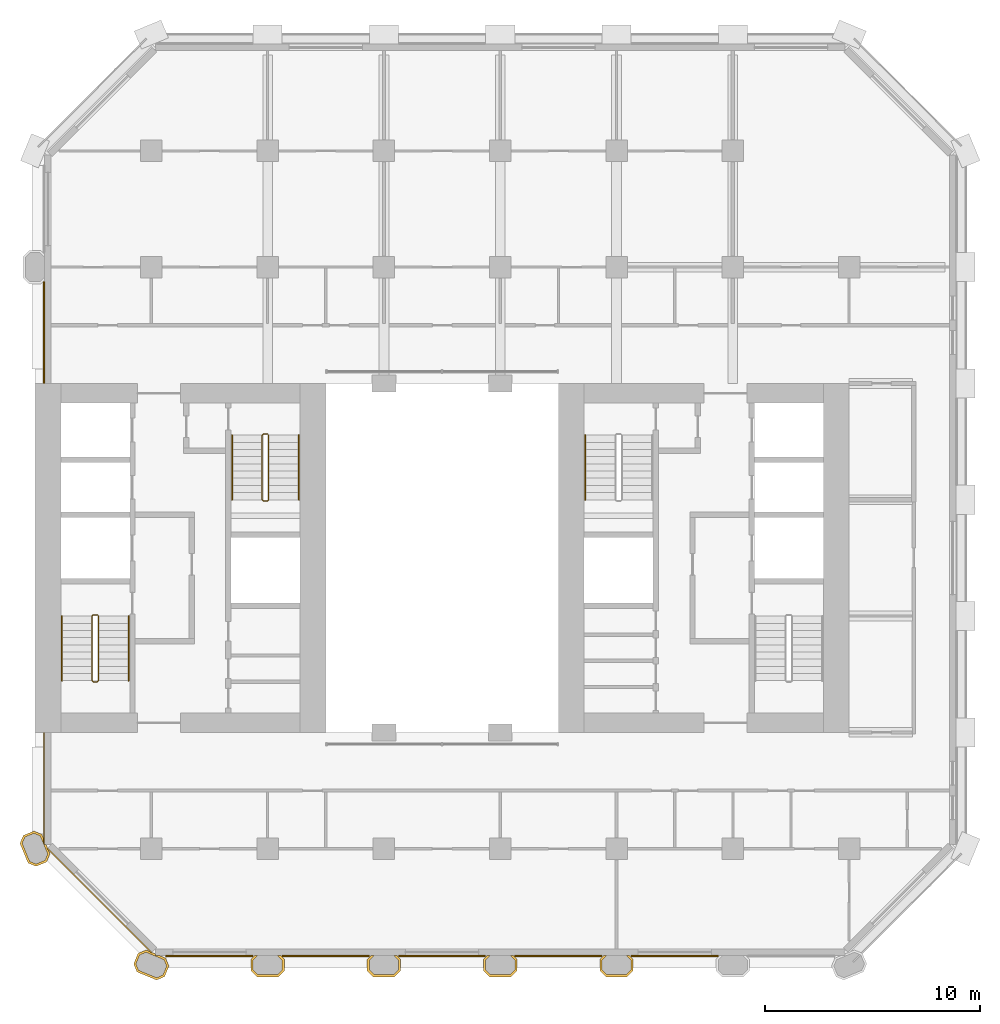
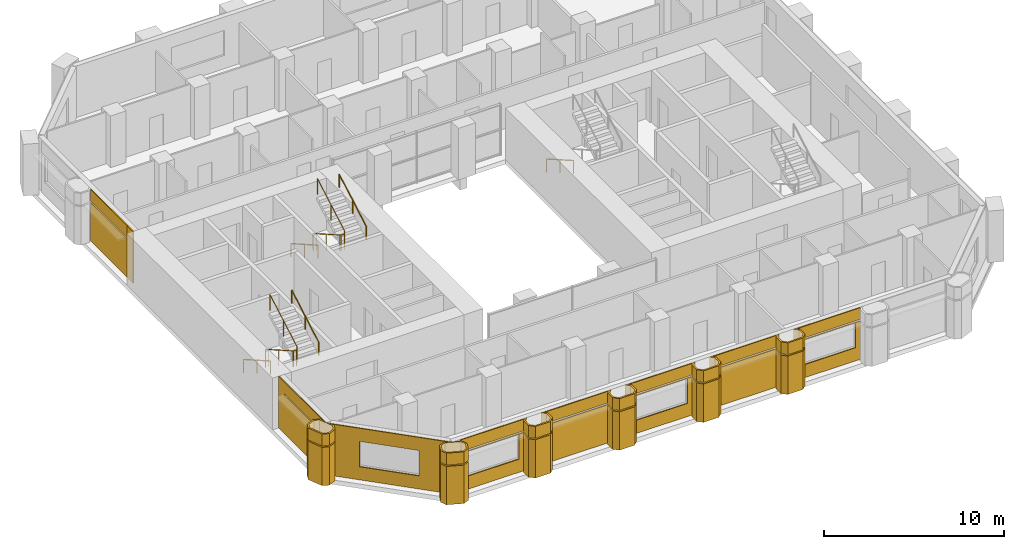
# One storey, part 9 of 11: 27 coverings, 7 railings.
"""IFC4 building model written with IfcOpenShell, lengths in metres."""

import ifcopenshell
import ifcopenshell.guid

model = None  # the IFC model being written
_history = None  # IfcOwnerHistory: only IFC2X3 demands one
_inside = {}  # id of a spatial element -> (the spatial element, [elements in it])
_under = {}  # id of a project, library or spatial element -> (it, [spatial elements below it])
_declared = {}  # id of a project -> (the project, [libraries it declares])
_typed = {}  # id of a type object -> (the type object, [elements of that type])
_made_of = {}  # id of a material, layer set ... -> (it, [elements and type objects made of it])


def new_model(schema):
    """Start an empty IFC model of exactly this schema.

    Asked for "IFC4X3", IfcOpenShell would pick the latest addendum, in which some entities
    have other attributes; the version numbers below select the first issue.
    IFC2X3 requires an IfcOwnerHistory on every rooted entity: one is made here for all.
    """
    global model, _history
    if schema == "IFC4X3":
        model = ifcopenshell.file(schema_version=(4, 3, 0, 0))
    else:
        model = ifcopenshell.file(schema=schema)
    _inside.clear()
    _under.clear()
    _declared.clear()
    _typed.clear()
    _made_of.clear()
    _history = None
    if model.schema == "IFC2X3":
        org = make("IfcOrganization", Name="unknown")
        user = make(
            "IfcPersonAndOrganization",
            ThePerson=make("IfcPerson", FamilyName="unknown"),
            TheOrganization=org,
        )
        app = make(
            "IfcApplication",
            ApplicationDeveloper=org,
            Version="unknown",
            ApplicationFullName="unknown",
            ApplicationIdentifier="unknown",
        )
        _history = make(
            "IfcOwnerHistory",
            OwningUser=user,
            OwningApplication=app,
            ChangeAction="ADDED",
            CreationDate=0,
        )
    return model


def make(cls, **values):
    """One entity of the class cls with the attributes given. An attribute that is None is left unset."""
    return model.create_entity(
        cls, **{name: value for name, value in values.items() if value is not None}
    )


def rooted(cls, **values):
    """An entity with a GlobalId (a new one), such as an element, a storey or a relation."""
    return make(cls, GlobalId=ifcopenshell.guid.new(), OwnerHistory=_history, **values)


def si_unit(unit_type, name, prefix=None):
    """IfcSIUnit, for example si_unit("LENGTHUNIT", "METRE", prefix="MILLI")."""
    return make("IfcSIUnit", UnitType=unit_type, Prefix=prefix, Name=name)


def assignment(units):
    """IfcUnitAssignment: the units of a project."""
    return None if units is None else make("IfcUnitAssignment", Units=units)


def point(xyz):
    """IfcCartesianPoint."""
    return None if xyz is None else make("IfcCartesianPoint", Coordinates=xyz)


def direction(xyz):
    """IfcDirection."""
    return None if xyz is None else make("IfcDirection", DirectionRatios=xyz)


def frame(location, z_axis=None, x_axis=None):
    """IfcAxis2Placement3D, a coordinate frame: its origin and axes. An axis left out is left unset."""
    return make(
        "IfcAxis2Placement3D",
        Location=point(location),
        Axis=direction(z_axis),
        RefDirection=direction(x_axis),
    )


def frame_2d(location, x_axis=None):
    """IfcAxis2Placement2D, a coordinate frame in the plane: its origin and x axis."""
    return make(
        "IfcAxis2Placement2D", Location=point(location), RefDirection=direction(x_axis)
    )


def origin():
    """The frame at (0, 0, 0) with its axes left unset."""
    return frame((0.0, 0.0, 0.0))


def origin_2d():
    """The frame at (0, 0) in the plane with its x axis left unset."""
    return frame_2d((0.0, 0.0))


def place(relative_to, where):
    """IfcLocalPlacement: puts the frame where relative to a parent placement (None: the world)."""
    return make(
        "IfcLocalPlacement", PlacementRelTo=relative_to, RelativePlacement=where
    )


def context(
    kind, dimensions, precision=None, world=None, true_north=None, identifier=None
):
    """IfcGeometricRepresentationContext, for example the 3D "Model" context."""
    return make(
        "IfcGeometricRepresentationContext",
        ContextIdentifier=identifier,
        ContextType=kind,
        CoordinateSpaceDimension=dimensions,
        Precision=precision,
        WorldCoordinateSystem=world,
        TrueNorth=true_north,
    )


def subcontext(parent, identifier, kind, view, scale=None):
    """IfcGeometricRepresentationSubContext, for example "Body" below "Model"."""
    return make(
        "IfcGeometricRepresentationSubContext",
        ContextIdentifier=identifier,
        ContextType=kind,
        ParentContext=parent,
        TargetScale=scale,
        TargetView=view,
    )


def project(units=None, contexts=None):
    """IfcProject with its units and contexts."""
    return rooted(
        "IfcProject",
        Name="project",
        RepresentationContexts=contexts,
        UnitsInContext=assignment(units),
    )


def spatial(cls, under=None, at=None, **own):
    """A site, building, storey or space (cls), placed at a placement, below another one or the project."""
    s = rooted(cls, ObjectPlacement=at, **own)
    if under is not None:
        _under.setdefault(under.id(), (under, []))[1].append(s)
    return s


def polyline(points):
    """IfcPolyline through the points."""
    return make("IfcPolyline", Points=[point(p) for p in points])


def profile(cls, at=None, kind="AREA", **sizes):
    """A parametric profile (cls). Its sizes go by their IFC names, for example OverallWidth=200.0."""
    return make(cls, ProfileType=kind, Position=at, **sizes)


def rectangle(**sizes):
    """IfcRectangleProfileDef."""
    return profile("IfcRectangleProfileDef", **sizes)


def circle(**sizes):
    """IfcCircleProfileDef."""
    return profile("IfcCircleProfileDef", **sizes)


def outline(outer, holes=None, kind="AREA"):
    """IfcArbitraryClosedProfileDef: a profile drawn as a closed curve; with holes, ...WithVoids."""
    if holes is None:
        return make("IfcArbitraryClosedProfileDef", ProfileType=kind, OuterCurve=outer)
    return make(
        "IfcArbitraryProfileDefWithVoids",
        ProfileType=kind,
        OuterCurve=outer,
        InnerCurves=holes,
    )


def extrude(swept, where, along, depth):
    """IfcExtrudedAreaSolid: the profile swept, set in the frame where, extruded along a direction by depth."""
    return make(
        "IfcExtrudedAreaSolid",
        SweptArea=swept,
        Position=where,
        ExtrudedDirection=direction(along),
        Depth=depth,
    )


def shape(context_of_items, identifier, shape_type, items):
    """IfcShapeRepresentation: the items that make up one representation, for example the "Body"."""
    return make(
        "IfcShapeRepresentation",
        ContextOfItems=context_of_items,
        RepresentationIdentifier=identifier,
        RepresentationType=shape_type,
        Items=items,
    )


def material(Name=None, Category=None):
    """IfcMaterial."""
    return make("IfcMaterial", Name=Name, Category=Category)


def layer(
    of_material, thickness, ventilated=None, Name=None, Category=None, Priority=None
):
    """IfcMaterialLayer: one layer of a wall or slab, of a material (None: an air gap)."""
    return make(
        "IfcMaterialLayer",
        Material=of_material,
        LayerThickness=thickness,
        IsVentilated=ventilated,
        Name=Name,
        Category=Category,
        Priority=Priority,
    )


def layer_set(layers, Name=None):
    """IfcMaterialLayerSet."""
    return make("IfcMaterialLayerSet", MaterialLayers=layers, LayerSetName=Name)


def made_of(thing, what):
    """Note that an element or type object is made of a material, layer set ...; save() writes the relation."""
    if what is not None:
        _made_of.setdefault(what.id(), (what, []))[1].append(thing)
    return thing


def type_object(cls, material=None, **own):
    """A type object (cls), such as IfcWallType, which elements share."""
    return made_of(rooted(cls, **own), material)


def element(
    cls,
    number,
    at=None,
    inside=None,
    cuts=None,
    type_object=None,
    material=None,
    context=None,
    identifier="Body",
    shape_type=None,
    held_by="IfcProductDefinitionShape",
    body=None,
    shapes=None,
    **own,
):
    """One element of the class cls, such as IfcWall. Its Tag is "e" and its number.

    at: its placement. inside: the storey or other place that contains it. cuts: it is an
    opening in that element (IfcRelVoidsElement). A single representation is given by context,
    identifier, shape_type and body (its items); several are given by shapes. held_by: the class
    of the entity that holds the representations. save() writes the other relations.
    """
    e = rooted(cls, Tag="e%d" % number, ObjectPlacement=at, **own)
    if body is not None:
        shapes = [shape(context, identifier, shape_type, body)]
    if shapes is not None:
        e.Representation = make(held_by, Representations=shapes)
    if inside is not None:
        _inside.setdefault(inside.id(), (inside, []))[1].append(e)
    if cuts is not None:
        rooted(
            "IfcRelVoidsElement", RelatingBuildingElement=cuts, RelatedOpeningElement=e
        )
    if type_object is not None:
        _typed.setdefault(type_object.id(), (type_object, []))[1].append(e)
    return made_of(e, material)


def aggregate(whole, parts):
    """IfcRelAggregates: a whole, such as a stair, and the parts it consists of."""
    return rooted("IfcRelAggregates", RelatingObject=whole, RelatedObjects=parts)


def save(model, path):
    """Write the relations noted so far, then the file.

    IfcRelAggregates (storeys below a building ...), IfcRelContainedInSpatialStructure (elements
    in a storey), IfcRelDefinesByType, IfcRelAssociatesMaterial and IfcRelDeclares: one each for
    every whole, place, type object, material and project.
    """
    for whole, parts in _under.values():
        aggregate(whole, parts)
    for where, things in _inside.values():
        rooted(
            "IfcRelContainedInSpatialStructure",
            RelatedElements=things,
            RelatingStructure=where,
        )
    for kind, things in _typed.values():
        rooted("IfcRelDefinesByType", RelatedObjects=things, RelatingType=kind)
    for what, things in _made_of.values():
        rooted("IfcRelAssociatesMaterial", RelatedObjects=things, RelatingMaterial=what)
    for by, libraries in _declared.values():
        rooted("IfcRelDeclares", RelatingContext=by, RelatedDefinitions=libraries)
    model.write(path)


model = new_model("IFC4")

# Units and contexts
model_context = context("Model", 3, precision=1e-05, world=origin(), true_north=direction((0.0, 1.0)))
body_context = subcontext(model_context, "Body", "Model", "MODEL_VIEW")
ifc_project = project(units=[si_unit("LENGTHUNIT", "METRE"), si_unit("AREAUNIT", "SQUARE_METRE"), si_unit("VOLUMEUNIT", "CUBIC_METRE"), si_unit("PLANEANGLEUNIT", "RADIAN"), si_unit("MASSUNIT", "GRAM", prefix="KILO")], contexts=[model_context])

# Site, building, storey
site_placement = place(None, origin())
site = spatial("IfcSite", under=ifc_project, at=site_placement, CompositionType="ELEMENT")
building_placement = place(site_placement, origin())
building = spatial("IfcBuilding", under=site, at=building_placement, Name="Tabaq Tower and Sports Hall", CompositionType="ELEMENT")
storey_placement = place(building_placement, frame((0.0, 0.0, 80.199951171875)))
storey = spatial("IfcBuildingStorey", under=building, at=storey_placement, Name="L18", CompositionType="ELEMENT", Elevation=80.199951171875)

# Coverings
ifc_material_1 = material(Name="Precast concrete C60/75", Category="concrete")
ifc_layer_1 = layer(ifc_material_1, 0.10009765625)
ifc_layer_set_1 = layer_set([ifc_layer_1], Name="Column cladding 100")
covering_type_1 = type_object("IfcCoveringType", Name="Column cladding 100", PredefinedType="CLADDING", material=ifc_layer_set_1)
covering_1_placement = place(storey_placement, origin())
element("IfcCovering", 1, at=covering_1_placement, inside=storey, type_object=covering_type_1, Name="Column cladding L18 PC-2C-O2", PredefinedType="CLADDING", context=body_context, shape_type="SweptSolid", body=[
    extrude(outline(polyline([(5.450439453125, 9.982421875), (5.080078125, 10.1357421875), (4.7041015625, 11.04345703125), (4.857421875, 11.413818359375), (5.349609375, 11.61767578125), (5.7197265625, 11.46435546875), (5.789794921875, 11.295654296875), (5.789794921875, 11.04296875), (5.849609375, 11.04296875), (5.849609375, 10.986083984375), (5.91796875, 10.986083984375), (5.9814453125, 10.83251953125), (5.9501953125, 10.801025390625), (6.026123046875, 10.72509765625), (6.095947265625, 10.556396484375), (5.9423828125, 10.186279296875), (5.450439453125, 9.982421875)]), holes=[polyline([(5.349609375, 11.510009765625), (4.93359375, 11.337646484375), (4.811767578125, 11.04345703125), (5.15625, 10.2119140625), (5.450439453125, 10.08984375), (5.866455078125, 10.26220703125), (5.98828125, 10.556396484375), (5.643798828125, 11.38818359375), (5.349609375, 11.510009765625)])]), origin(), (0.0, 0.0, 1.0), 2.60009765625),
])
covering_2_placement = place(storey_placement, frame((0.0, 0.0, 2.699951171875)))
element("IfcCovering", 2, at=covering_2_placement, inside=storey, type_object=covering_type_1, Name="Column cladding L18 PC-2C-O2 2", PredefinedType="CLADDING", context=body_context, shape_type="SweptSolid", body=[
    extrude(outline(polyline([(5.450439453125, 9.982421875), (5.080078125, 10.1357421875), (4.7041015625, 11.04345703125), (4.857421875, 11.413818359375), (5.349609375, 11.61767578125), (5.7197265625, 11.46435546875), (5.789794921875, 11.295654296875), (5.789794921875, 11.04296875), (5.849609375, 11.04296875), (5.849609375, 10.986083984375), (5.91796875, 10.986083984375), (5.9814453125, 10.83251953125), (5.9501953125, 10.801025390625), (6.026123046875, 10.72509765625), (6.095947265625, 10.556396484375), (5.9423828125, 10.186279296875), (5.450439453125, 9.982421875)]), holes=[polyline([(5.349609375, 11.510009765625), (4.93359375, 11.337646484375), (4.811767578125, 11.04345703125), (5.15625, 10.2119140625), (5.450439453125, 10.08984375), (5.866455078125, 10.26220703125), (5.98828125, 10.556396484375), (5.643798828125, 11.38818359375), (5.349609375, 11.510009765625)])]), origin(), (0.0, 0.0, 1.0), 0.800048828125),
])
covering_3_placement = place(storey_placement, origin())
element("IfcCovering", 3, at=covering_3_placement, inside=storey, type_object=covering_type_1, Name="Column cladding L18 PC-3B-O2", PredefinedType="CLADDING", context=body_context, shape_type="SweptSolid", body=[
    extrude(outline(polyline([(11.413818359375, 4.857421875), (11.04345703125, 4.7041015625), (10.1357421875, 5.080078125), (9.982421875, 5.450439453125), (10.186279296875, 5.9423828125), (10.556396484375, 6.095947265625), (10.72509765625, 6.026123046875), (10.801025390625, 5.9501953125), (10.83251953125, 5.9814453125), (10.986083984375, 5.91796875), (10.986083984375, 5.849609375), (11.15087890625, 5.849609375), (11.46435546875, 5.7197265625), (11.61767578125, 5.349609375), (11.413818359375, 4.857421875)]), holes=[polyline([(10.26220703125, 5.866455078125), (10.08984375, 5.450439453125), (10.2119140625, 5.15625), (11.04345703125, 4.811767578125), (11.337646484375, 4.93359375), (11.510009765625, 5.349609375), (11.38818359375, 5.643798828125), (10.556396484375, 5.98828125), (10.26220703125, 5.866455078125)])]), origin(), (0.0, 0.0, 1.0), 2.60009765625),
])
covering_4_placement = place(storey_placement, frame((0.0, 0.0, 2.699951171875)))
element("IfcCovering", 4, at=covering_4_placement, inside=storey, type_object=covering_type_1, Name="Column cladding L18 PC-3B-O2 2", PredefinedType="CLADDING", context=body_context, shape_type="SweptSolid", body=[
    extrude(outline(polyline([(11.413818359375, 4.857421875), (11.04345703125, 4.7041015625), (10.1357421875, 5.080078125), (9.982421875, 5.450439453125), (10.186279296875, 5.9423828125), (10.556396484375, 6.095947265625), (10.72509765625, 6.026123046875), (10.801025390625, 5.9501953125), (10.83251953125, 5.9814453125), (10.986083984375, 5.91796875), (10.986083984375, 5.849609375), (11.15087890625, 5.849609375), (11.46435546875, 5.7197265625), (11.61767578125, 5.349609375), (11.413818359375, 4.857421875)]), holes=[polyline([(10.26220703125, 5.866455078125), (10.08984375, 5.450439453125), (10.2119140625, 5.15625), (11.04345703125, 4.811767578125), (11.337646484375, 4.93359375), (11.510009765625, 5.349609375), (11.38818359375, 5.643798828125), (10.556396484375, 5.98828125), (10.26220703125, 5.866455078125)])]), origin(), (0.0, 0.0, 1.0), 0.800048828125),
])
covering_5_placement = place(storey_placement, origin())
element("IfcCovering", 5, at=covering_5_placement, inside=storey, type_object=covering_type_1, Name="Column cladding L18 PC-4B-O2", PredefinedType="CLADDING", context=body_context, shape_type="SweptSolid", body=[
    extrude(outline(polyline([(15.42529296875, 5.666259765625), (15.608642578125, 5.849609375), (15.749267578125, 5.849609375), (15.524658203125, 5.625244140625), (15.524658203125, 5.1748046875), (15.749755859375, 4.94970703125), (16.650146484375, 4.94970703125), (16.875244140625, 5.1748046875), (16.875244140625, 5.625244140625), (16.650634765625, 5.849609375), (16.791259765625, 5.849609375), (16.974609375, 5.666259765625), (16.974609375, 5.1337890625), (16.69140625, 4.850341796875), (15.708740234375, 4.850341796875), (15.42529296875, 5.1337890625), (15.42529296875, 5.666259765625)])), origin(), (0.0, 0.0, 1.0), 2.60009765625),
])
covering_6_placement = place(storey_placement, frame((0.0, 0.0, 2.699951171875)))
element("IfcCovering", 6, at=covering_6_placement, inside=storey, type_object=covering_type_1, Name="Column cladding L18 PC-4B-O2 2", PredefinedType="CLADDING", context=body_context, shape_type="SweptSolid", body=[
    extrude(outline(polyline([(15.42529296875, 5.666259765625), (15.608642578125, 5.849609375), (15.749267578125, 5.849609375), (15.524658203125, 5.625244140625), (15.524658203125, 5.1748046875), (15.749755859375, 4.94970703125), (16.650146484375, 4.94970703125), (16.875244140625, 5.1748046875), (16.875244140625, 5.625244140625), (16.650634765625, 5.849609375), (16.791259765625, 5.849609375), (16.974609375, 5.666259765625), (16.974609375, 5.1337890625), (16.69140625, 4.850341796875), (15.708740234375, 4.850341796875), (15.42529296875, 5.1337890625), (15.42529296875, 5.666259765625)])), origin(), (0.0, 0.0, 1.0), 0.800048828125),
])
covering_7_placement = place(storey_placement, origin())
element("IfcCovering", 7, at=covering_7_placement, inside=storey, type_object=covering_type_1, Name="Column cladding L18 PC-5B-O2", PredefinedType="CLADDING", context=body_context, shape_type="SweptSolid", body=[
    extrude(outline(polyline([(20.8251953125, 5.666259765625), (21.0087890625, 5.849609375), (21.149169921875, 5.849609375), (20.9248046875, 5.625244140625), (20.9248046875, 5.1748046875), (21.14990234375, 4.94970703125), (22.050048828125, 4.94970703125), (22.275390625, 5.1748046875), (22.275390625, 5.625244140625), (22.05078125, 5.849609375), (22.19140625, 5.849609375), (22.374755859375, 5.666259765625), (22.374755859375, 5.1337890625), (22.09130859375, 4.850341796875), (21.108642578125, 4.850341796875), (20.8251953125, 5.1337890625), (20.8251953125, 5.666259765625)])), origin(), (0.0, 0.0, 1.0), 2.60009765625),
])
covering_8_placement = place(storey_placement, frame((0.0, 0.0, 2.699951171875)))
element("IfcCovering", 8, at=covering_8_placement, inside=storey, type_object=covering_type_1, Name="Column cladding L18 PC-5B-O2 2", PredefinedType="CLADDING", context=body_context, shape_type="SweptSolid", body=[
    extrude(outline(polyline([(20.8251953125, 5.666259765625), (21.0087890625, 5.849609375), (21.149169921875, 5.849609375), (20.9248046875, 5.625244140625), (20.9248046875, 5.1748046875), (21.14990234375, 4.94970703125), (22.050048828125, 4.94970703125), (22.275390625, 5.1748046875), (22.275390625, 5.625244140625), (22.05078125, 5.849609375), (22.19140625, 5.849609375), (22.374755859375, 5.666259765625), (22.374755859375, 5.1337890625), (22.09130859375, 4.850341796875), (21.108642578125, 4.850341796875), (20.8251953125, 5.1337890625), (20.8251953125, 5.666259765625)])), origin(), (0.0, 0.0, 1.0), 0.800048828125),
])
covering_9_placement = place(storey_placement, origin())
element("IfcCovering", 9, at=covering_9_placement, inside=storey, type_object=covering_type_1, Name="Column cladding L18 PC-6B-O2", PredefinedType="CLADDING", context=body_context, shape_type="SweptSolid", body=[
    extrude(outline(polyline([(26.225341796875, 5.666259765625), (26.40869140625, 5.849609375), (26.54931640625, 5.849609375), (26.32470703125, 5.625244140625), (26.32470703125, 5.1748046875), (26.5498046875, 4.94970703125), (27.4501953125, 4.94970703125), (27.67529296875, 5.1748046875), (27.67529296875, 5.625244140625), (27.45068359375, 5.849609375), (27.59130859375, 5.849609375), (27.774658203125, 5.666259765625), (27.774658203125, 5.1337890625), (27.4912109375, 4.850341796875), (26.5087890625, 4.850341796875), (26.225341796875, 5.1337890625), (26.225341796875, 5.666259765625)])), origin(), (0.0, 0.0, 1.0), 2.60009765625),
])
covering_10_placement = place(storey_placement, frame((0.0, 0.0, 2.699951171875)))
element("IfcCovering", 10, at=covering_10_placement, inside=storey, type_object=covering_type_1, Name="Column cladding L18 PC-6B-O2 2", PredefinedType="CLADDING", context=body_context, shape_type="SweptSolid", body=[
    extrude(outline(polyline([(26.225341796875, 5.666259765625), (26.40869140625, 5.849609375), (26.54931640625, 5.849609375), (26.32470703125, 5.625244140625), (26.32470703125, 5.1748046875), (26.5498046875, 4.94970703125), (27.4501953125, 4.94970703125), (27.67529296875, 5.1748046875), (27.67529296875, 5.625244140625), (27.45068359375, 5.849609375), (27.59130859375, 5.849609375), (27.774658203125, 5.666259765625), (27.774658203125, 5.1337890625), (27.4912109375, 4.850341796875), (26.5087890625, 4.850341796875), (26.225341796875, 5.1337890625), (26.225341796875, 5.666259765625)])), origin(), (0.0, 0.0, 1.0), 0.800048828125),
])
covering_11_placement = place(storey_placement, origin())
element("IfcCovering", 11, at=covering_11_placement, inside=storey, type_object=covering_type_1, Name="Column cladding L18 PC-7B-O2", PredefinedType="CLADDING", context=body_context, shape_type="SweptSolid", body=[
    extrude(outline(polyline([(31.625244140625, 5.666259765625), (31.80859375, 5.849609375), (31.94921875, 5.849609375), (31.724609375, 5.625244140625), (31.724609375, 5.1748046875), (31.949951171875, 4.94970703125), (32.85009765625, 4.94970703125), (33.0751953125, 5.1748046875), (33.0751953125, 5.625244140625), (32.850830078125, 5.849609375), (32.9912109375, 5.849609375), (33.1748046875, 5.666259765625), (33.1748046875, 5.1337890625), (32.891357421875, 4.850341796875), (31.90869140625, 4.850341796875), (31.625244140625, 5.1337890625), (31.625244140625, 5.666259765625)])), origin(), (0.0, 0.0, 1.0), 2.60009765625),
])
covering_12_placement = place(storey_placement, frame((0.0, 0.0, 2.699951171875)))
element("IfcCovering", 12, at=covering_12_placement, inside=storey, type_object=covering_type_1, Name="Column cladding L18 PC-7B-O2 2", PredefinedType="CLADDING", context=body_context, shape_type="SweptSolid", body=[
    extrude(outline(polyline([(31.625244140625, 5.666259765625), (31.80859375, 5.849609375), (31.94921875, 5.849609375), (31.724609375, 5.625244140625), (31.724609375, 5.1748046875), (31.949951171875, 4.94970703125), (32.85009765625, 4.94970703125), (33.0751953125, 5.1748046875), (33.0751953125, 5.625244140625), (32.850830078125, 5.849609375), (32.9912109375, 5.849609375), (33.1748046875, 5.666259765625), (33.1748046875, 5.1337890625), (32.891357421875, 4.850341796875), (31.90869140625, 4.850341796875), (31.625244140625, 5.1337890625), (31.625244140625, 5.666259765625)])), origin(), (0.0, 0.0, 1.0), 0.800048828125),
])

# Railings
ifc_material_2 = material(Name="Stainless steel", Category="steel")
railing_type_1 = type_object("IfcRailingType", Name="Stair guard", PredefinedType="GUARDRAIL", material=ifc_material_2)
railing_1_placement = place(storey_placement, frame((8.300048828125, 21.64990234375, 0.0)))
element("IfcRailing", 13, at=railing_1_placement, inside=storey, type_object=railing_type_1, Name="L18 ST1 stair guard 1", PredefinedType="GUARDRAIL", context=body_context, shape_type="SweptSolid", body=[
    extrude(circle(Radius=0.02392578125, at=origin_2d()), frame((0.0, 0.0, 1.076171875), z_axis=(-1.0, 0.0, 0.0), x_axis=(0.0, -1.0, 0.0)), (0.0, 0.0, 1.0), 0.199951171875),
    extrude(circle(Radius=0.02392578125, at=origin_2d()), frame((-0.199951171875, 0.0, 1.076171875), z_axis=(-0.246983470365, -0.245778672949, 0.937332389972), x_axis=(0.705375805398, -0.708833529934, 0.0)), (0.0, 0.0, 1.0), 0.20263671875),
    extrude(circle(Radius=0.02392578125, at=origin_2d()), frame((-0.25, -0.0498046875, 1.26611328125), z_axis=(0.0, -0.868751719353, 0.495247867356), x_axis=(1.0, 0.0, 0.0)), (0.0, 0.0, 1.0), 3.453125),
    extrude(circle(Radius=0.02392578125, at=origin_2d()), frame((-0.25, -3.0498046875, 2.97607421875), z_axis=(0.707106781187, -0.707106781187, 0.0), x_axis=(0.707106781187, 0.707106781187, 0.0)), (0.0, 0.0, 1.0), 0.07080078125),
    extrude(circle(Radius=0.02392578125, at=origin_2d()), frame((-0.199951171875, -3.099853515625, 2.97607421875), z_axis=(1.0, 0.0, 0.0), x_axis=(0.0, 1.0, 0.0)), (0.0, 0.0, 1.0), 0.199951171875),
    extrude(circle(Radius=0.02392578125, at=origin_2d()), frame((0.0, -3.099853515625, 2.97607421875), z_axis=(0.246910188598, 0.246910188598, 0.937054276727), x_axis=(-0.707106781187, 0.707106781187, 0.0)), (0.0, 0.0, 1.0), 0.20263671875),
    extrude(circle(Radius=0.02392578125, at=origin_2d()), frame((0.050048828125, -3.0498046875, 3.166015625), z_axis=(0.0, 0.868782136927, 0.495194505781), x_axis=(-1.0, 0.0, 0.0)), (0.0, 0.0, 1.0), 3.453125),
    extrude(circle(Radius=0.02099609375, at=origin_2d()), origin(), (0.0, 0.0, 1.0), 1.052001953125),
    extrude(circle(Radius=0.02099609375, at=origin_2d()), frame((-0.199951171875, 0.0, 0.0)), (0.0, 0.0, 1.0), 1.052001953125),
    extrude(circle(Radius=0.02099609375, at=origin_2d()), frame((-0.25, -0.0498046875, 0.18994140625)), (0.0, 0.0, 1.0), 1.052001953125),
    extrude(circle(Radius=0.02099609375, at=origin_2d()), frame((-0.25, -1.5498046875, 1.044921875)), (0.0, 0.0, 1.0), 1.052001953125),
    extrude(circle(Radius=0.02099609375, at=origin_2d()), frame((-0.25, -3.0498046875, 1.900146484375)), (0.0, 0.0, 1.0), 1.052001953125),
    extrude(circle(Radius=0.02099609375, at=origin_2d()), frame((-0.199951171875, -3.099853515625, 1.900146484375)), (0.0, 0.0, 1.0), 1.052001953125),
    extrude(circle(Radius=0.02099609375, at=origin_2d()), frame((0.0, -3.099853515625, 1.900146484375)), (0.0, 0.0, 1.0), 1.052001953125),
    extrude(circle(Radius=0.02099609375, at=origin_2d()), frame((0.050048828125, -3.0498046875, 2.090087890625)), (0.0, 0.0, 1.0), 1.052001953125),
    extrude(circle(Radius=0.02099609375, at=origin_2d()), frame((0.050048828125, -1.5498046875, 2.945068359375)), (0.0, 0.0, 1.0), 1.052001953125),
    extrude(circle(Radius=0.02099609375, at=origin_2d()), frame((0.050048828125, -0.0498046875, 3.800048828125)), (0.0, 0.0, 1.0), 1.052001953125),
])
railing_2_placement = place(storey_placement, frame((16.199951171875, 30.050048828125, 0.0)))
element("IfcRailing", 14, at=railing_2_placement, inside=storey, type_object=railing_type_1, Name="L18 ST2 stair guard 1", PredefinedType="GUARDRAIL", context=body_context, shape_type="SweptSolid", body=[
    extrude(circle(Radius=0.02392578125, at=origin_2d()), frame((0.0, 0.0, 1.076171875), z_axis=(-1.0, 0.0, 0.0), x_axis=(0.0, -1.0, 0.0)), (0.0, 0.0, 1.0), 0.199951171875),
    extrude(circle(Radius=0.02392578125, at=origin_2d()), frame((-0.199951171875, 0.0, 1.076171875), z_axis=(-0.246910188598, -0.246910188598, 0.937054276727), x_axis=(0.707106781187, -0.707106781187, 0.0)), (0.0, 0.0, 1.0), 0.20263671875),
    extrude(circle(Radius=0.02392578125, at=origin_2d()), frame((-0.25, -0.050048828125, 1.26611328125), z_axis=(0.0, -0.868751719353, 0.495247867356), x_axis=(1.0, 0.0, 0.0)), (0.0, 0.0, 1.0), 3.453125),
    extrude(circle(Radius=0.02392578125, at=origin_2d()), frame((-0.25, -3.050048828125, 2.97607421875), z_axis=(0.707106781187, -0.707106781187, 0.0), x_axis=(0.707106781187, 0.707106781187, 0.0)), (0.0, 0.0, 1.0), 0.07080078125),
    extrude(circle(Radius=0.02392578125, at=origin_2d()), frame((-0.199951171875, -3.10009765625, 2.97607421875), z_axis=(1.0, 0.0, 0.0), x_axis=(0.0, 1.0, 0.0)), (0.0, 0.0, 1.0), 0.199951171875),
    extrude(circle(Radius=0.02392578125, at=origin_2d()), frame((0.0, -3.10009765625, 2.97607421875), z_axis=(0.246910188598, 0.246910188598, 0.937054276727), x_axis=(-0.707106781187, 0.707106781187, 0.0)), (0.0, 0.0, 1.0), 0.20263671875),
    extrude(circle(Radius=0.02392578125, at=origin_2d()), frame((0.050048828125, -3.050048828125, 3.166015625), z_axis=(0.0, 0.868782136927, 0.495194505781), x_axis=(-1.0, 0.0, 0.0)), (0.0, 0.0, 1.0), 3.453125),
    extrude(circle(Radius=0.02099609375, at=origin_2d()), origin(), (0.0, 0.0, 1.0), 1.052001953125),
    extrude(circle(Radius=0.02099609375, at=origin_2d()), frame((-0.199951171875, 0.0, 0.0)), (0.0, 0.0, 1.0), 1.052001953125),
    extrude(circle(Radius=0.02099609375, at=origin_2d()), frame((-0.25, -0.050048828125, 0.18994140625)), (0.0, 0.0, 1.0), 1.052001953125),
    extrude(circle(Radius=0.02099609375, at=origin_2d()), frame((-0.25, -1.550048828125, 1.044921875)), (0.0, 0.0, 1.0), 1.052001953125),
    extrude(circle(Radius=0.02099609375, at=origin_2d()), frame((-0.25, -3.050048828125, 1.900146484375)), (0.0, 0.0, 1.0), 1.052001953125),
    extrude(circle(Radius=0.02099609375, at=origin_2d()), frame((-0.199951171875, -3.10009765625, 1.900146484375)), (0.0, 0.0, 1.0), 1.052001953125),
    extrude(circle(Radius=0.02099609375, at=origin_2d()), frame((0.0, -3.10009765625, 1.900146484375)), (0.0, 0.0, 1.0), 1.052001953125),
    extrude(circle(Radius=0.02099609375, at=origin_2d()), frame((0.050048828125, -3.050048828125, 2.090087890625)), (0.0, 0.0, 1.0), 1.052001953125),
    extrude(circle(Radius=0.02099609375, at=origin_2d()), frame((0.050048828125, -1.550048828125, 2.945068359375)), (0.0, 0.0, 1.0), 1.052001953125),
    extrude(circle(Radius=0.02099609375, at=origin_2d()), frame((0.050048828125, -0.050048828125, 3.800048828125)), (0.0, 0.0, 1.0), 1.052001953125),
])
ifc_material_3 = material(Name="Stainless steel", Category="steel")
railing_type_2 = type_object("IfcRailingType", Name="Stair handrail", PredefinedType="HANDRAIL", material=ifc_material_3)
railing_3_placement = place(storey_placement, frame((6.64990234375, 21.60009765625, 0.18994140625)))
element("IfcRailing", 15, at=railing_3_placement, inside=storey, type_object=railing_type_2, Name="L18 ST1 stair handrail 1", PredefinedType="HANDRAIL", context=body_context, shape_type="SweptSolid", body=[
    extrude(circle(Radius=0.02392578125, at=origin_2d()), frame((0.0, 0.0, 0.8759765625), z_axis=(0.0, -0.868751719353, 0.495247867356), x_axis=(1.0, 0.0, 0.0)), (0.0, 0.0, 1.0), 3.453125),
    extrude(circle(Radius=0.02099609375, at=origin_2d()), origin(), (0.0, 0.0, 1.0), 0.851806640625),
    extrude(circle(Radius=0.02099609375, at=origin_2d()), frame((0.0, -1.5, 0.85498046875)), (0.0, 0.0, 1.0), 0.851806640625),
    extrude(circle(Radius=0.02099609375, at=origin_2d()), frame((0.0, -3.0, 1.710205078125)), (0.0, 0.0, 1.0), 0.851806640625),
])
railing_4_placement = place(storey_placement, frame((9.75, 18.60009765625, 2.090087890625)))
element("IfcRailing", 16, at=railing_4_placement, inside=storey, type_object=railing_type_2, Name="L18 ST1 stair handrail 2", PredefinedType="HANDRAIL", context=body_context, shape_type="SweptSolid", body=[
    extrude(circle(Radius=0.02392578125, at=origin_2d()), frame((0.0, 0.0, 0.8759765625), z_axis=(0.0, 0.868782136927, 0.495194505781), x_axis=(-1.0, 0.0, 0.0)), (0.0, 0.0, 1.0), 3.453125),
    extrude(circle(Radius=0.02099609375, at=origin_2d()), origin(), (0.0, 0.0, 1.0), 0.851806640625),
    extrude(circle(Radius=0.02099609375, at=origin_2d()), frame((0.0, 1.5, 0.85498046875)), (0.0, 0.0, 1.0), 0.851806640625),
    extrude(circle(Radius=0.02099609375, at=origin_2d()), frame((0.0, 3.0, 1.7099609375)), (0.0, 0.0, 1.0), 0.851806640625),
])
railing_5_placement = place(storey_placement, frame((14.550048828125, 30.0, 0.18994140625)))
element("IfcRailing", 17, at=railing_5_placement, inside=storey, type_object=railing_type_2, Name="L18 ST2 stair handrail 1", PredefinedType="HANDRAIL", context=body_context, shape_type="SweptSolid", body=[
    extrude(circle(Radius=0.02392578125, at=origin_2d()), frame((0.0, 0.0, 0.8759765625), z_axis=(0.0, -0.868751719353, 0.495247867356), x_axis=(1.0, 0.0, 0.0)), (0.0, 0.0, 1.0), 3.453125),
    extrude(circle(Radius=0.02099609375, at=origin_2d()), origin(), (0.0, 0.0, 1.0), 0.851806640625),
    extrude(circle(Radius=0.02099609375, at=origin_2d()), frame((0.0, -1.5, 0.85498046875)), (0.0, 0.0, 1.0), 0.851806640625),
    extrude(circle(Radius=0.02099609375, at=origin_2d()), frame((0.0, -3.0, 1.710205078125)), (0.0, 0.0, 1.0), 0.851806640625),
])
railing_6_placement = place(storey_placement, frame((17.64990234375, 27.0, 2.090087890625)))
element("IfcRailing", 18, at=railing_6_placement, inside=storey, type_object=railing_type_2, Name="L18 ST2 stair handrail 2", PredefinedType="HANDRAIL", context=body_context, shape_type="SweptSolid", body=[
    extrude(circle(Radius=0.02392578125, at=origin_2d()), frame((0.0, 0.0, 0.8759765625), z_axis=(0.0, 0.868782136927, 0.495194505781), x_axis=(-1.0, 0.0, 0.0)), (0.0, 0.0, 1.0), 3.453125),
    extrude(circle(Radius=0.02099609375, at=origin_2d()), origin(), (0.0, 0.0, 1.0), 0.851806640625),
    extrude(circle(Radius=0.02099609375, at=origin_2d()), frame((0.0, 1.5, 0.85498046875)), (0.0, 0.0, 1.0), 0.851806640625),
    extrude(circle(Radius=0.02099609375, at=origin_2d()), frame((0.0, 3.0, 1.7099609375)), (0.0, 0.0, 1.0), 0.851806640625),
])
railing_7_placement = place(storey_placement, frame((30.949951171875, 30.0, 0.18994140625)))
element("IfcRailing", 19, at=railing_7_placement, inside=storey, type_object=railing_type_2, Name="L18 ST4 stair handrail 1", PredefinedType="HANDRAIL", context=body_context, shape_type="SweptSolid", body=[
    extrude(circle(Radius=0.02392578125, at=origin_2d()), frame((0.0, 0.0, 0.8759765625), z_axis=(0.0, -0.868751719353, 0.495247867356), x_axis=(1.0, 0.0, 0.0)), (0.0, 0.0, 1.0), 3.453125),
    extrude(circle(Radius=0.02099609375, at=origin_2d()), origin(), (0.0, 0.0, 1.0), 0.851806640625),
    extrude(circle(Radius=0.02099609375, at=origin_2d()), frame((0.0, -1.5, 0.85498046875)), (0.0, 0.0, 1.0), 0.851806640625),
    extrude(circle(Radius=0.02099609375, at=origin_2d()), frame((0.0, -3.0, 1.710205078125)), (0.0, 0.0, 1.0), 0.851806640625),
])

# Coverings
ifc_material_4 = material(Name="Precast concrete C60/75", Category="concrete")
ifc_layer_2 = layer(ifc_material_4, 0.06005859375)
ifc_layer_set_2 = layer_set([ifc_layer_2], Name="White precast cladding panel 60 C60/75")
covering_type_2 = type_object("IfcCoveringType", Name="White precast cladding panel 60 C60/75", PredefinedType="CLADDING", material=ifc_layer_set_2)
covering_13_placement = place(storey_placement, frame((11.465087890625, 5.820068359375, 0.0), z_axis=(0.0, 0.0, 1.0), x_axis=(1.0, 0.0, 0.0)))
element("IfcCovering", 20, at=covering_13_placement, inside=storey, type_object=covering_type_2, Name="White precast cladding panel L18 wall00", PredefinedType="CLADDING", context=body_context, shape_type="SweptSolid", body=[
    extrude(outline(polyline([(0.0, 0.0), (4.0498046875, 0.0), (4.0498046875, 2.590087890625), (0.0, 2.590087890625), (0.0, 0.0)]), holes=[polyline([(3.7451171875, 0.89013671875), (0.324951171875, 0.89013671875), (0.324951171875, 2.56005859375), (3.7451171875, 2.56005859375), (3.7451171875, 0.89013671875)])]), frame((0.0, 0.030029296875, 0.0), z_axis=(0.0, -1.0, 0.0), x_axis=(1.0, 0.0, 0.0)), (0.0, 0.0, 1.0), 0.06005859375),
])
covering_14_placement = place(storey_placement, frame((11.465087890625, 5.820068359375, 2.7099609375), z_axis=(0.0, 0.0, 1.0), x_axis=(1.0, 0.0, 0.0)))
element("IfcCovering", 21, at=covering_14_placement, inside=storey, type_object=covering_type_2, Name="White precast cladding panel L18 wall00 2", PredefinedType="CLADDING", context=body_context, shape_type="SweptSolid", body=[
    extrude(rectangle(XDim=4.0498046875, YDim=0.06005859375, at=frame_2d((2.02490234375, 0.0))), origin(), (0.0, 0.0, 1.0), 0.7900390625),
])
covering_15_placement = place(storey_placement, frame((16.885009765625, 5.820068359375, 0.0), z_axis=(0.0, 0.0, 1.0), x_axis=(1.0, 0.0, 0.0)))
element("IfcCovering", 22, at=covering_15_placement, inside=storey, type_object=covering_type_2, Name="White precast cladding panel L18 wall00 3", PredefinedType="CLADDING", context=body_context, shape_type="SweptSolid", body=[
    extrude(rectangle(XDim=4.030029296875, YDim=0.06005859375, at=frame_2d((2.01513671875, 0.0))), origin(), (0.0, 0.0, 1.0), 2.590087890625),
])
covering_16_placement = place(storey_placement, frame((16.885009765625, 5.820068359375, 2.7099609375), z_axis=(0.0, 0.0, 1.0), x_axis=(1.0, 0.0, 0.0)))
element("IfcCovering", 23, at=covering_16_placement, inside=storey, type_object=covering_type_2, Name="White precast cladding panel L18 wall00 4", PredefinedType="CLADDING", context=body_context, shape_type="SweptSolid", body=[
    extrude(rectangle(XDim=4.030029296875, YDim=0.06005859375, at=frame_2d((2.01513671875, 0.0))), origin(), (0.0, 0.0, 1.0), 0.7900390625),
])
covering_17_placement = place(storey_placement, frame((22.284912109375, 5.820068359375, 0.0), z_axis=(0.0, 0.0, 1.0), x_axis=(1.0, 0.0, 0.0)))
element("IfcCovering", 24, at=covering_17_placement, inside=storey, type_object=covering_type_2, Name="White precast cladding panel L18 wall00 5", PredefinedType="CLADDING", context=body_context, shape_type="SweptSolid", body=[
    extrude(outline(polyline([(0.0, 0.0), (4.030029296875, 0.0), (4.030029296875, 2.590087890625), (0.0, 2.590087890625), (0.0, 0.0)]), holes=[polyline([(3.72509765625, 0.89013671875), (0.304931640625, 0.89013671875), (0.304931640625, 2.56005859375), (3.72509765625, 2.56005859375), (3.72509765625, 0.89013671875)])]), frame((0.0, 0.030029296875, 0.0), z_axis=(0.0, -1.0, 0.0), x_axis=(1.0, 0.0, 0.0)), (0.0, 0.0, 1.0), 0.06005859375),
])
covering_18_placement = place(storey_placement, frame((22.284912109375, 5.820068359375, 2.7099609375), z_axis=(0.0, 0.0, 1.0), x_axis=(1.0, 0.0, 0.0)))
element("IfcCovering", 25, at=covering_18_placement, inside=storey, type_object=covering_type_2, Name="White precast cladding panel L18 wall00 6", PredefinedType="CLADDING", context=body_context, shape_type="SweptSolid", body=[
    extrude(rectangle(XDim=4.030029296875, YDim=0.06005859375, at=frame_2d((2.01513671875, 0.0))), origin(), (0.0, 0.0, 1.0), 0.7900390625),
])
covering_19_placement = place(storey_placement, frame((27.68505859375, 5.820068359375, 0.0), z_axis=(0.0, 0.0, 1.0), x_axis=(1.0, 0.0, 0.0)))
element("IfcCovering", 26, at=covering_19_placement, inside=storey, type_object=covering_type_2, Name="White precast cladding panel L18 wall00 7", PredefinedType="CLADDING", context=body_context, shape_type="SweptSolid", body=[
    extrude(rectangle(XDim=4.030029296875, YDim=0.06005859375, at=frame_2d((2.01513671875, 0.0))), origin(), (0.0, 0.0, 1.0), 2.590087890625),
])
covering_20_placement = place(storey_placement, frame((27.68505859375, 5.820068359375, 2.7099609375), z_axis=(0.0, 0.0, 1.0), x_axis=(1.0, 0.0, 0.0)))
element("IfcCovering", 27, at=covering_20_placement, inside=storey, type_object=covering_type_2, Name="White precast cladding panel L18 wall00 8", PredefinedType="CLADDING", context=body_context, shape_type="SweptSolid", body=[
    extrude(rectangle(XDim=4.030029296875, YDim=0.06005859375, at=frame_2d((2.01513671875, 0.0))), origin(), (0.0, 0.0, 1.0), 0.7900390625),
])
covering_21_placement = place(storey_placement, frame((33.0849609375, 5.820068359375, 0.0), z_axis=(0.0, 0.0, 1.0), x_axis=(1.0, 0.0, 0.0)))
element("IfcCovering", 28, at=covering_21_placement, inside=storey, type_object=covering_type_2, Name="White precast cladding panel L18 wall00 9", PredefinedType="CLADDING", context=body_context, shape_type="SweptSolid", body=[
    extrude(outline(polyline([(0.0, 0.0), (4.030029296875, 0.0), (4.030029296875, 2.590087890625), (0.0, 2.590087890625), (0.0, 0.0)]), holes=[polyline([(3.72509765625, 0.89013671875), (0.304931640625, 0.89013671875), (0.304931640625, 2.56005859375), (3.72509765625, 2.56005859375), (3.72509765625, 0.89013671875)])]), frame((0.0, 0.030029296875, 0.0), z_axis=(0.0, -1.0, 0.0), x_axis=(1.0, 0.0, 0.0)), (0.0, 0.0, 1.0), 0.06005859375),
])
covering_22_placement = place(storey_placement, frame((33.0849609375, 5.820068359375, 2.7099609375), z_axis=(0.0, 0.0, 1.0), x_axis=(1.0, 0.0, 0.0)))
element("IfcCovering", 29, at=covering_22_placement, inside=storey, type_object=covering_type_2, Name="White precast cladding panel L18 wall00 10", PredefinedType="CLADDING", context=body_context, shape_type="SweptSolid", body=[
    extrude(rectangle(XDim=4.030029296875, YDim=0.06005859375, at=frame_2d((2.01513671875, 0.0))), origin(), (0.0, 0.0, 1.0), 0.7900390625),
])
covering_23_placement = place(storey_placement, frame((5.820068359375, 37.114990234375, 0.0), z_axis=(0.0, 0.0, 1.0), x_axis=(0.0, -1.0, 0.0)))
element("IfcCovering", 30, at=covering_23_placement, inside=storey, type_object=covering_type_2, Name="White precast cladding panel L18 wall06 3", PredefinedType="CLADDING", context=body_context, shape_type="SweptSolid", body=[
    extrude(rectangle(XDim=4.050048828125, YDim=0.06005859375, at=frame_2d((2.02490234375, 0.0))), origin(), (0.0, 0.0, 1.0), 2.590087890625),
])
covering_24_placement = place(storey_placement, frame((5.820068359375, 37.114990234375, 2.7099609375), z_axis=(0.0, 0.0, 1.0), x_axis=(0.0, -1.0, 0.0)))
element("IfcCovering", 31, at=covering_24_placement, inside=storey, type_object=covering_type_2, Name="White precast cladding panel L18 wall06 4", PredefinedType="CLADDING", context=body_context, shape_type="SweptSolid", body=[
    extrude(rectangle(XDim=4.050048828125, YDim=0.06005859375, at=frame_2d((2.02490234375, 0.0))), origin(), (0.0, 0.0, 1.0), 0.7900390625),
])
covering_25_placement = place(storey_placement, frame((5.820068359375, 33.06494140625, 0.0), z_axis=(0.0, 0.0, 1.0), x_axis=(0.0, -1.0, 0.0)))
element("IfcCovering", 32, at=covering_25_placement, inside=storey, type_object=covering_type_2, Name="White precast cladding panel L18 wall06 5", PredefinedType="CLADDING", context=body_context, shape_type="SweptSolid", body=[
    extrude(rectangle(XDim=0.6650390625, YDim=0.06005859375, at=frame_2d((0.33251953125, 0.0))), origin(), (0.0, 0.0, 1.0), 3.5),
])
covering_26_placement = place(storey_placement, frame((5.820068359375, 16.199951171875, 0.0), z_axis=(0.0, 0.0, 1.0), x_axis=(0.0, -1.0, 0.0)))
element("IfcCovering", 33, at=covering_26_placement, inside=storey, type_object=covering_type_2, Name="White precast cladding panel L18 wall06-1", PredefinedType="CLADDING", context=body_context, shape_type="SweptSolid", body=[
    extrude(outline(polyline([(0.0, 0.0), (5.15673828125, 0.0), (5.15673828125, 3.5), (0.0, 3.5), (0.0, 0.0)]), holes=[polyline([(0.6650390625, 2.590087890625), (0.6650390625, 2.7099609375), (4.735107421875, 2.7099609375), (4.735107421875, 2.590087890625), (0.6650390625, 2.590087890625)])]), frame((0.0, 0.030029296875, 0.0), z_axis=(0.0, -1.0, 0.0), x_axis=(1.0, 0.0, 0.0)), (0.0, 0.0, 1.0), 0.06005859375),
])
covering_27_placement = place(storey_placement, frame((5.9716796875, 10.822265625, 0.0), z_axis=(0.0, 0.0, 1.0), x_axis=(0.707106781187, -0.707106781187, 0.0)))
element("IfcCovering", 34, at=covering_27_placement, inside=storey, type_object=covering_type_2, Name="White precast cladding panel L18 wall07", PredefinedType="CLADDING", context=body_context, shape_type="SweptSolid", body=[
    extrude(outline(polyline([(0.0, 0.0), (6.85986328125, 0.0), (6.85986328125, 3.5), (0.0, 3.5), (0.0, 0.0)]), holes=[polyline([(1.7197265625, 0.89013671875), (1.7197265625, 2.610107421875), (5.139892578125, 2.610107421875), (5.139892578125, 0.89013671875), (1.7197265625, 0.89013671875)])]), frame((0.0, 0.030029296875, 0.0), z_axis=(0.0, -1.0, 0.0), x_axis=(1.0, 0.0, 0.0)), (0.0, 0.0, 1.0), 0.06005859375),
])

save(model, "model.ifc")
